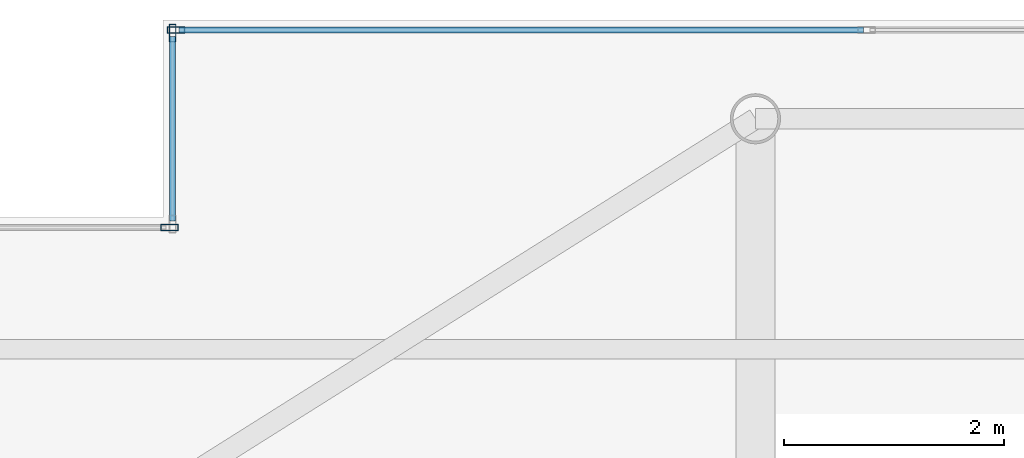
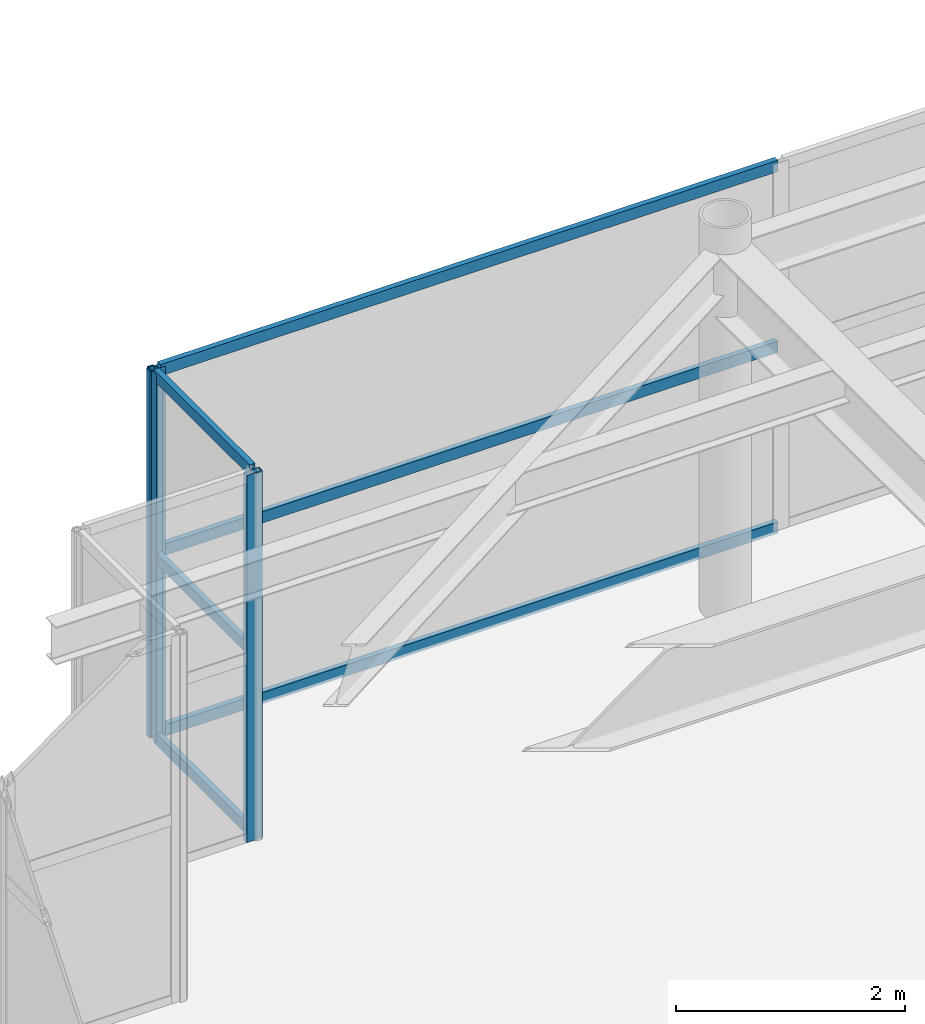
# One storey, part 22 of 33: 9 members, 3 elements without a shape of their own.
"""IFC4 building model written with IfcOpenShell, lengths in metres."""

import ifcopenshell
import ifcopenshell.guid

model = None  # the IFC model being written
_history = None  # IfcOwnerHistory: only IFC2X3 demands one
_inside = {}  # id of a spatial element -> (the spatial element, [elements in it])
_under = {}  # id of a project, library or spatial element -> (it, [spatial elements below it])
_declared = {}  # id of a project -> (the project, [libraries it declares])
_typed = {}  # id of a type object -> (the type object, [elements of that type])
_made_of = {}  # id of a material, layer set ... -> (it, [elements and type objects made of it])


def new_model(schema):
    """Start an empty IFC model of exactly this schema.

    Asked for "IFC4X3", IfcOpenShell would pick the latest addendum, in which some entities
    have other attributes; the version numbers below select the first issue.
    IFC2X3 requires an IfcOwnerHistory on every rooted entity: one is made here for all.
    """
    global model, _history
    if schema == "IFC4X3":
        model = ifcopenshell.file(schema_version=(4, 3, 0, 0))
    else:
        model = ifcopenshell.file(schema=schema)
    _inside.clear()
    _under.clear()
    _declared.clear()
    _typed.clear()
    _made_of.clear()
    _history = None
    if model.schema == "IFC2X3":
        org = make("IfcOrganization", Name="unknown")
        user = make(
            "IfcPersonAndOrganization",
            ThePerson=make("IfcPerson", FamilyName="unknown"),
            TheOrganization=org,
        )
        app = make(
            "IfcApplication",
            ApplicationDeveloper=org,
            Version="unknown",
            ApplicationFullName="unknown",
            ApplicationIdentifier="unknown",
        )
        _history = make(
            "IfcOwnerHistory",
            OwningUser=user,
            OwningApplication=app,
            ChangeAction="ADDED",
            CreationDate=0,
        )
    return model


def make(cls, **values):
    """One entity of the class cls with the attributes given. An attribute that is None is left unset."""
    return model.create_entity(
        cls, **{name: value for name, value in values.items() if value is not None}
    )


def rooted(cls, **values):
    """An entity with a GlobalId (a new one), such as an element, a storey or a relation."""
    return make(cls, GlobalId=ifcopenshell.guid.new(), OwnerHistory=_history, **values)


def si_unit(unit_type, name, prefix=None):
    """IfcSIUnit, for example si_unit("LENGTHUNIT", "METRE", prefix="MILLI")."""
    return make("IfcSIUnit", UnitType=unit_type, Prefix=prefix, Name=name)


def assignment(units):
    """IfcUnitAssignment: the units of a project."""
    return None if units is None else make("IfcUnitAssignment", Units=units)


def point(xyz):
    """IfcCartesianPoint."""
    return None if xyz is None else make("IfcCartesianPoint", Coordinates=xyz)


def direction(xyz):
    """IfcDirection."""
    return None if xyz is None else make("IfcDirection", DirectionRatios=xyz)


def frame(location, z_axis=None, x_axis=None):
    """IfcAxis2Placement3D, a coordinate frame: its origin and axes. An axis left out is left unset."""
    return make(
        "IfcAxis2Placement3D",
        Location=point(location),
        Axis=direction(z_axis),
        RefDirection=direction(x_axis),
    )


def frame_2d(location, x_axis=None):
    """IfcAxis2Placement2D, a coordinate frame in the plane: its origin and x axis."""
    return make(
        "IfcAxis2Placement2D", Location=point(location), RefDirection=direction(x_axis)
    )


def origin():
    """The frame at (0, 0, 0) with its axes left unset."""
    return frame((0.0, 0.0, 0.0))


def origin_2d():
    """The frame at (0, 0) in the plane with its x axis left unset."""
    return frame_2d((0.0, 0.0))


def place(relative_to, where):
    """IfcLocalPlacement: puts the frame where relative to a parent placement (None: the world)."""
    return make(
        "IfcLocalPlacement", PlacementRelTo=relative_to, RelativePlacement=where
    )


def context(
    kind, dimensions, precision=None, world=None, true_north=None, identifier=None
):
    """IfcGeometricRepresentationContext, for example the 3D "Model" context."""
    return make(
        "IfcGeometricRepresentationContext",
        ContextIdentifier=identifier,
        ContextType=kind,
        CoordinateSpaceDimension=dimensions,
        Precision=precision,
        WorldCoordinateSystem=world,
        TrueNorth=true_north,
    )


def subcontext(parent, identifier, kind, view, scale=None):
    """IfcGeometricRepresentationSubContext, for example "Body" below "Model"."""
    return make(
        "IfcGeometricRepresentationSubContext",
        ContextIdentifier=identifier,
        ContextType=kind,
        ParentContext=parent,
        TargetScale=scale,
        TargetView=view,
    )


def project(units=None, contexts=None):
    """IfcProject with its units and contexts."""
    return rooted(
        "IfcProject",
        Name="project",
        RepresentationContexts=contexts,
        UnitsInContext=assignment(units),
    )


def spatial(cls, under=None, at=None, **own):
    """A site, building, storey or space (cls), placed at a placement, below another one or the project."""
    s = rooted(cls, ObjectPlacement=at, **own)
    if under is not None:
        _under.setdefault(under.id(), (under, []))[1].append(s)
    return s


def profile(cls, at=None, kind="AREA", **sizes):
    """A parametric profile (cls). Its sizes go by their IFC names, for example OverallWidth=200.0."""
    return make(cls, ProfileType=kind, Position=at, **sizes)


def hollow_rectangle(**sizes):
    """IfcRectangleHollowProfileDef."""
    return profile("IfcRectangleHollowProfileDef", **sizes)


def extrude(swept, where, along, depth):
    """IfcExtrudedAreaSolid: the profile swept, set in the frame where, extruded along a direction by depth."""
    return make(
        "IfcExtrudedAreaSolid",
        SweptArea=swept,
        Position=where,
        ExtrudedDirection=direction(along),
        Depth=depth,
    )


def shape(context_of_items, identifier, shape_type, items):
    """IfcShapeRepresentation: the items that make up one representation, for example the "Body"."""
    return make(
        "IfcShapeRepresentation",
        ContextOfItems=context_of_items,
        RepresentationIdentifier=identifier,
        RepresentationType=shape_type,
        Items=items,
    )


def source(mapping_origin, context_of_items, identifier, shape_type, items):
    """IfcRepresentationMap: a shape defined once, which mapped items show again and again."""
    return make(
        "IfcRepresentationMap",
        MappingOrigin=mapping_origin,
        MappedRepresentation=shape(context_of_items, identifier, shape_type, items),
    )


def transform(
    local_origin,
    x_axis=None,
    y_axis=None,
    z_axis=None,
    scale=None,
    scale2=None,
    scale3=None,
    uniform=True,
):
    """IfcCartesianTransformationOperator3D, or its non-uniform kind. x_axis, y_axis, z_axis: its Axis1, 2, 3."""
    if uniform:
        return make(
            "IfcCartesianTransformationOperator3D",
            Axis1=direction(x_axis),
            Axis2=direction(y_axis),
            LocalOrigin=point(local_origin),
            Scale=scale,
            Axis3=direction(z_axis),
        )
    return make(
        "IfcCartesianTransformationOperator3DnonUniform",
        Axis1=direction(x_axis),
        Axis2=direction(y_axis),
        LocalOrigin=point(local_origin),
        Scale=scale,
        Axis3=direction(z_axis),
        Scale2=scale2,
        Scale3=scale3,
    )


def mapped(mapping_source, mapping_target):
    """IfcMappedItem: shows the shape of a source again, moved by a transform."""
    return make(
        "IfcMappedItem", MappingSource=mapping_source, MappingTarget=mapping_target
    )


def material(Name=None, Category=None):
    """IfcMaterial."""
    return make("IfcMaterial", Name=Name, Category=Category)


def layer(
    of_material, thickness, ventilated=None, Name=None, Category=None, Priority=None
):
    """IfcMaterialLayer: one layer of a wall or slab, of a material (None: an air gap)."""
    return make(
        "IfcMaterialLayer",
        Material=of_material,
        LayerThickness=thickness,
        IsVentilated=ventilated,
        Name=Name,
        Category=Category,
        Priority=Priority,
    )


def layer_set(layers, Name=None):
    """IfcMaterialLayerSet."""
    return make("IfcMaterialLayerSet", MaterialLayers=layers, LayerSetName=Name)


def material_profile(
    of_material, cross_section, Name=None, Category=None, Priority=None
):
    """IfcMaterialProfile: a cross section and its material."""
    return make(
        "IfcMaterialProfile",
        Name=Name,
        Material=of_material,
        Profile=cross_section,
        Priority=Priority,
        Category=Category,
    )


def profile_set(profiles, Name=None, composite=None):
    """IfcMaterialProfileSet."""
    return make(
        "IfcMaterialProfileSet",
        Name=Name,
        MaterialProfiles=profiles,
        CompositeProfile=composite,
    )


def made_of(thing, what):
    """Note that an element or type object is made of a material, layer set ...; save() writes the relation."""
    if what is not None:
        _made_of.setdefault(what.id(), (what, []))[1].append(thing)
    return thing


def type_object(cls, material=None, **own):
    """A type object (cls), such as IfcWallType, which elements share."""
    return made_of(rooted(cls, **own), material)


def element(
    cls,
    number,
    at=None,
    inside=None,
    cuts=None,
    type_object=None,
    material=None,
    context=None,
    identifier="Body",
    shape_type=None,
    held_by="IfcProductDefinitionShape",
    body=None,
    shapes=None,
    **own,
):
    """One element of the class cls, such as IfcWall. Its Tag is "e" and its number.

    at: its placement. inside: the storey or other place that contains it. cuts: it is an
    opening in that element (IfcRelVoidsElement). A single representation is given by context,
    identifier, shape_type and body (its items); several are given by shapes. held_by: the class
    of the entity that holds the representations. save() writes the other relations.
    """
    e = rooted(cls, Tag="e%d" % number, ObjectPlacement=at, **own)
    if body is not None:
        shapes = [shape(context, identifier, shape_type, body)]
    if shapes is not None:
        e.Representation = make(held_by, Representations=shapes)
    if inside is not None:
        _inside.setdefault(inside.id(), (inside, []))[1].append(e)
    if cuts is not None:
        rooted(
            "IfcRelVoidsElement", RelatingBuildingElement=cuts, RelatedOpeningElement=e
        )
    if type_object is not None:
        _typed.setdefault(type_object.id(), (type_object, []))[1].append(e)
    return made_of(e, material)


def aggregate(whole, parts):
    """IfcRelAggregates: a whole, such as a stair, and the parts it consists of."""
    return rooted("IfcRelAggregates", RelatingObject=whole, RelatedObjects=parts)


def save(model, path):
    """Write the relations noted so far, then the file.

    IfcRelAggregates (storeys below a building ...), IfcRelContainedInSpatialStructure (elements
    in a storey), IfcRelDefinesByType, IfcRelAssociatesMaterial and IfcRelDeclares: one each for
    every whole, place, type object, material and project.
    """
    for whole, parts in _under.values():
        aggregate(whole, parts)
    for where, things in _inside.values():
        rooted(
            "IfcRelContainedInSpatialStructure",
            RelatedElements=things,
            RelatingStructure=where,
        )
    for kind, things in _typed.values():
        rooted("IfcRelDefinesByType", RelatedObjects=things, RelatingType=kind)
    for what, things in _made_of.values():
        rooted("IfcRelAssociatesMaterial", RelatedObjects=things, RelatingMaterial=what)
    for by, libraries in _declared.values():
        rooted("IfcRelDeclares", RelatingContext=by, RelatedDefinitions=libraries)
    model.write(path)


model = new_model("IFC4")

# Units and contexts
model_context = context("Model", 3, precision=1e-05, world=origin(), true_north=direction((0.0, 1.0)))
body_context = subcontext(model_context, "Body", "Model", "MODEL_VIEW")
ifc_project = project(units=[si_unit("LENGTHUNIT", "METRE"), si_unit("AREAUNIT", "SQUARE_METRE"), si_unit("VOLUMEUNIT", "CUBIC_METRE"), si_unit("PLANEANGLEUNIT", "RADIAN"), si_unit("MASSUNIT", "GRAM", prefix="KILO")], contexts=[model_context])

# Site, building, storey
site_placement = place(None, origin())
site = spatial("IfcSite", under=ifc_project, at=site_placement, CompositionType="ELEMENT")
building_placement = place(site_placement, origin())
building = spatial("IfcBuilding", under=site, at=building_placement, Name="Khoralis Quay Care Tower", CompositionType="ELEMENT")
storey_placement = place(building_placement, frame((0.0, 0.0, 302.10009765625)))
storey = spatial("IfcBuildingStorey", under=building, at=storey_placement, Name="L79", CompositionType="ELEMENT", Elevation=302.10009765625)

# Curtain wall, members
ifc_material = material(Name="Pale anodised aluminium", Category="aluminium")
ifc_layer = layer(ifc_material, 0.199951171875)
ifc_layer_set = layer_set([ifc_layer], Name="Pale anodised aluminium")
curtain_wall_type = type_object("IfcCurtainWallType", Name="CW-SYS-LANTERN", PredefinedType="NOTDEFINED", material=ifc_layer_set)
curtain_wall_1_placement = place(storey_placement, origin())
curtain_wall_1 = element("IfcCurtainWall", 1, at=curtain_wall_1_placement, inside=storey, type_object=curtain_wall_type, Name="L79 Unitised Curtain Wall CW-LN-L79-11", PredefinedType="NOTDEFINED")
ifc_material_profile_1 = material_profile(ifc_material, hollow_rectangle(XDim=0.054931640625, YDim=0.1201171875, WallThickness=0.00390625, at=origin_2d()), Name="Pale anodised aluminium")
ifc_profile_set_1 = profile_set([ifc_material_profile_1], Name="Pale anodised aluminium")
member_type_1 = type_object("IfcMemberType", Name="CW-TRN-120", PredefinedType="USERDEFINED", material=ifc_profile_set_1)
shared_shape_1 = source(origin(), body_context, "Body", "SweptSolid", [
    extrude(hollow_rectangle(XDim=0.054931640625, YDim=0.1201171875, WallThickness=0.00390625, at=origin_2d()), origin(), (0.0, 0.0, 1.0), 6.23388671875),
])
member_1_placement = place(storey_placement, frame((12.98388671875, 41.909912109375, 0.02978515625), z_axis=(-1.0, 0.0, 0.0), x_axis=(0.0, -1.0, 0.0)))
member_1 = element("IfcMember", 2, at=member_1_placement, type_object=member_type_1, Name="CW5 transom 5.1", ObjectType="TRANSOM", PredefinedType="USERDEFINED", context=body_context, shape_type="MappedRepresentation", body=[
    mapped(shared_shape_1, transform((0.0, 0.0, 0.0), scale=1.0)),
])
member_2_placement = place(storey_placement, frame((12.98388671875, 41.909912109375, 1.9599609375), z_axis=(-1.0, 0.0, 0.0), x_axis=(0.0, -1.0, 0.0)))
member_2 = element("IfcMember", 3, at=member_2_placement, type_object=member_type_1, Name="CW5 transom 5.2", ObjectType="TRANSOM", PredefinedType="USERDEFINED", context=body_context, shape_type="MappedRepresentation", body=[
    mapped(shared_shape_1, transform((0.0, 0.0, 0.0), scale=1.0)),
])
member_3_placement = place(storey_placement, frame((12.98388671875, 41.909912109375, 3.889892578125), z_axis=(-1.0, 0.0, 0.0), x_axis=(0.0, -1.0, 0.0)))
member_3 = element("IfcMember", 4, at=member_3_placement, type_object=member_type_1, Name="CW5 transom 5.3", ObjectType="TRANSOM", PredefinedType="USERDEFINED", context=body_context, shape_type="MappedRepresentation", body=[
    mapped(shared_shape_1, transform((0.0, 0.0, 0.0), scale=1.0)),
])

curtain_wall_2_placement = place(storey_placement, origin())
curtain_wall_2 = element("IfcCurtainWall", 5, at=curtain_wall_2_placement, inside=storey, type_object=curtain_wall_type, Name="L79 Unitised Curtain Wall CW-LN-L79-12", PredefinedType="NOTDEFINED")
shared_shape_2 = source(origin(), body_context, "Body", "SweptSolid", [
    extrude(hollow_rectangle(XDim=0.054931640625, YDim=0.1201171875, WallThickness=0.00390625, at=origin_2d()), origin(), (0.0, 0.0, 1.0), 1.68017578125),
])
member_4_placement = place(storey_placement, frame((6.68994140625, 41.85009765625, 0.02978515625), z_axis=(0.0, -1.0, 0.0), x_axis=(1.0, 0.0, 0.0)))
member_4 = element("IfcMember", 6, at=member_4_placement, type_object=member_type_1, Name="CW5 transom 1.1", ObjectType="TRANSOM", PredefinedType="USERDEFINED", context=body_context, shape_type="MappedRepresentation", body=[
    mapped(shared_shape_2, transform((0.0, 0.0, 0.0), scale=1.0)),
])
member_5_placement = place(storey_placement, frame((6.68994140625, 41.85009765625, 1.9599609375), z_axis=(0.0, -1.0, 0.0), x_axis=(1.0, 0.0, 0.0)))
member_5 = element("IfcMember", 7, at=member_5_placement, type_object=member_type_1, Name="CW5 transom 1.2", ObjectType="TRANSOM", PredefinedType="USERDEFINED", context=body_context, shape_type="MappedRepresentation", body=[
    mapped(shared_shape_2, transform((0.0, 0.0, 0.0), scale=1.0)),
])
member_6_placement = place(storey_placement, frame((6.68994140625, 41.85009765625, 3.889892578125), z_axis=(0.0, -1.0, 0.0), x_axis=(1.0, 0.0, 0.0)))
member_6 = element("IfcMember", 8, at=member_6_placement, type_object=member_type_1, Name="CW5 transom 1.3", ObjectType="TRANSOM", PredefinedType="USERDEFINED", context=body_context, shape_type="MappedRepresentation", body=[
    mapped(shared_shape_2, transform((0.0, 0.0, 0.0), scale=1.0)),
])

# Member
ifc_material_profile_2 = material_profile(ifc_material, hollow_rectangle(XDim=0.06005859375, YDim=0.159912109375, WallThickness=0.00390625, at=origin_2d()), Name="Pale anodised aluminium")
ifc_profile_set_2 = profile_set([ifc_material_profile_2], Name="Pale anodised aluminium")
member_type_2 = type_object("IfcMemberType", Name="CW-MUL-160", PredefinedType="MULLION", material=ifc_profile_set_2)
shared_shape_3 = source(origin(), body_context, "Body", "SweptSolid", [
    extrude(hollow_rectangle(XDim=0.06005859375, YDim=0.159912109375, WallThickness=0.00390625, at=origin_2d()), origin(), (0.0, 0.0, 1.0), 3.919921875),
])
member_7_placement = place(storey_placement, frame((6.719970703125, 41.909912109375, 0.0), z_axis=(0.0, 0.0, 1.0), x_axis=(0.0, -1.0, 0.0)))
member_7 = element("IfcMember", 9, at=member_7_placement, type_object=member_type_2, Name="CW5 mullion 6", PredefinedType="MULLION", context=body_context, shape_type="MappedRepresentation", body=[
    mapped(shared_shape_3, transform((0.0, 0.0, 0.0), scale=1.0)),
])

aggregate(curtain_wall_1, [member_7, member_1, member_2, member_3])

member_8_placement = place(storey_placement, frame((6.68994140625, 41.8798828125, 0.0), z_axis=(0.0, 0.0, 1.0), x_axis=(1.0, 0.0, 0.0)))
member_8 = element("IfcMember", 10, at=member_8_placement, type_object=member_type_2, Name="CW5 mullion 1", PredefinedType="MULLION", context=body_context, shape_type="MappedRepresentation", body=[
    mapped(shared_shape_3, transform((0.0, 0.0, 0.0), scale=1.0)),
])

aggregate(curtain_wall_2, [member_8, member_4, member_5, member_6])

# Curtain wall, member
curtain_wall_3_placement = place(storey_placement, origin())
curtain_wall_3 = element("IfcCurtainWall", 11, at=curtain_wall_3_placement, inside=storey, type_object=curtain_wall_type, Name="L79 Unitised Curtain Wall CW-LN-L79-13", PredefinedType="NOTDEFINED")
member_9_placement = place(storey_placement, frame((6.659912109375, 40.110107421875, 0.0), z_axis=(0.0, 0.0, 1.0), x_axis=(0.0, -1.0, 0.0)))
member_9 = element("IfcMember", 12, at=member_9_placement, type_object=member_type_2, Name="CW5 mullion 1", PredefinedType="MULLION", context=body_context, shape_type="MappedRepresentation", body=[
    mapped(shared_shape_3, transform((0.0, 0.0, 0.0), scale=1.0)),
])
aggregate(curtain_wall_3, [member_9])

save(model, "model.ifc")
